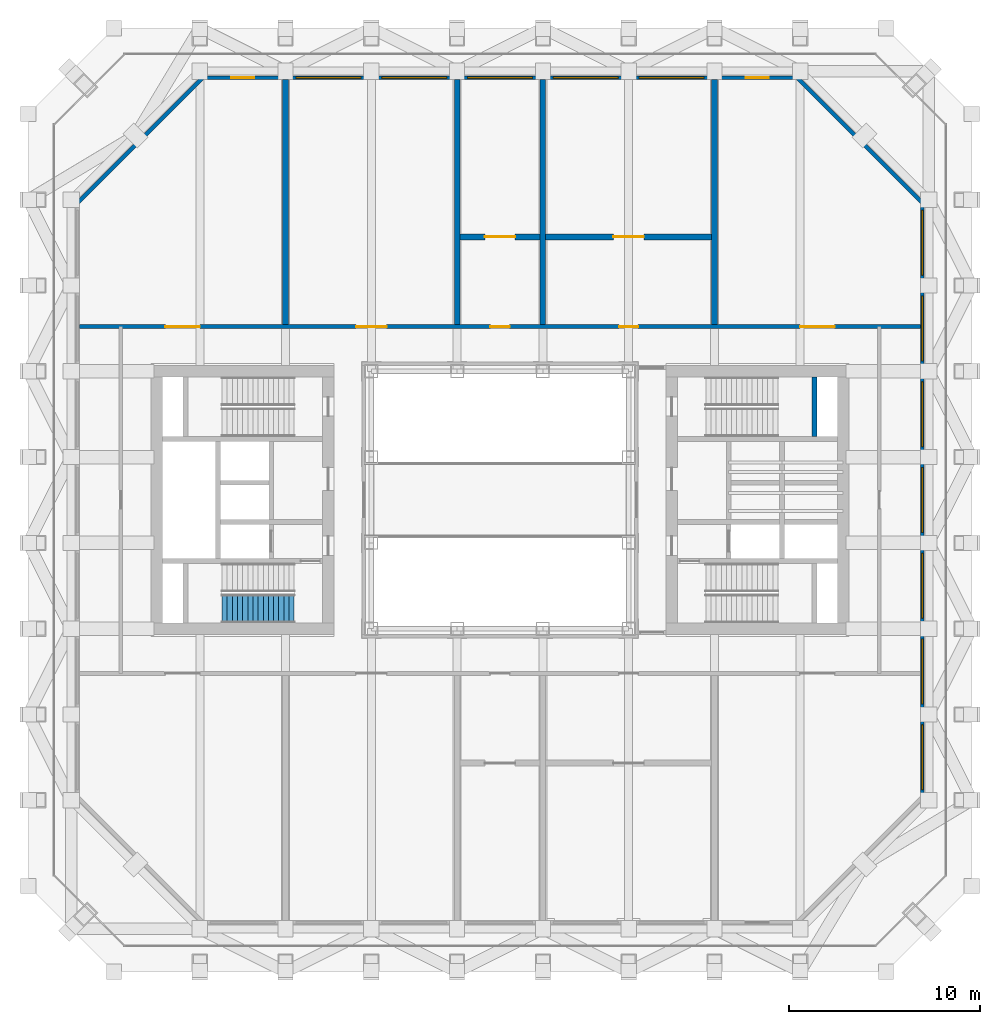
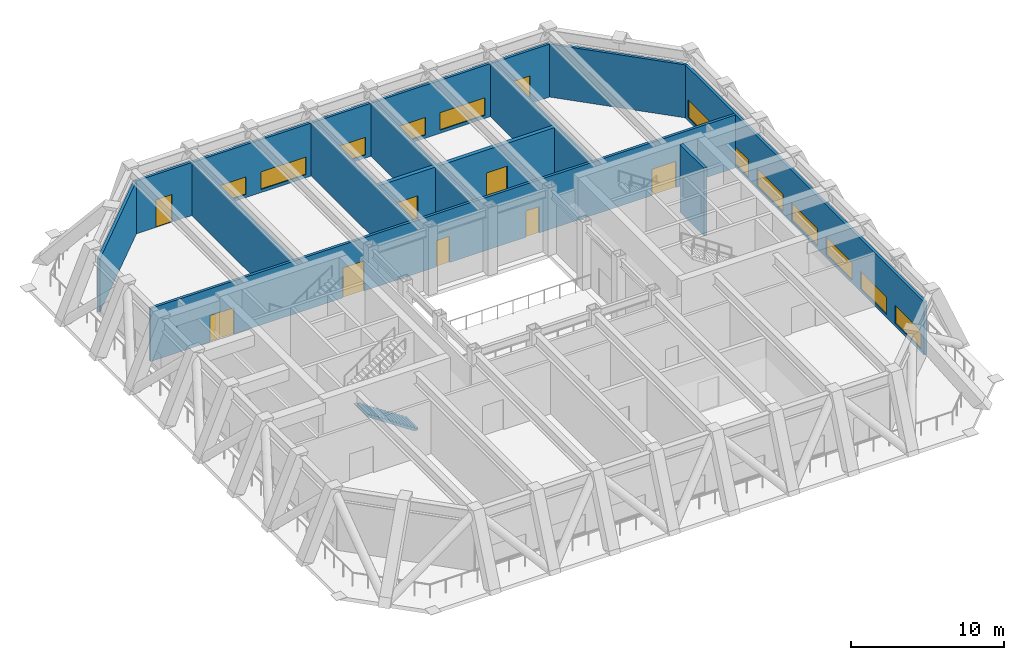
# One storey, part 5 of 9: 12 walls, 12 windows, 9 doors, 1 stair flight, 21 openings, 1 element without a shape of its own.
"""IFC4 building model written with IfcOpenShell, lengths in metres."""

from ifc_helpers import new_model, si_unit, direction, frame, frame_2d, origin, place, context, subcontext, project, spatial, polyline, rectangle, outline, extrude, material, layer, layer_set, type_object, element, fill, aggregate, save


model = new_model("IFC4")

# Units and contexts
model_context = context("Model", 3, precision=1e-05, world=origin(), true_north=direction((0.0, 1.0)))
body_context = subcontext(model_context, "Body", "Model", "MODEL_VIEW")
ifc_project = project(units=[si_unit("LENGTHUNIT", "METRE"), si_unit("AREAUNIT", "SQUARE_METRE"), si_unit("VOLUMEUNIT", "CUBIC_METRE"), si_unit("PLANEANGLEUNIT", "RADIAN"), si_unit("MASSUNIT", "GRAM", prefix="KILO")], contexts=[model_context])

# Site, building, storey
site_placement = place(None, origin())
site = spatial("IfcSite", under=ifc_project, at=site_placement, CompositionType="ELEMENT")
building_placement = place(site_placement, origin())
building = spatial("IfcBuilding", under=site, at=building_placement, Name="Msasa Ring Tower", CompositionType="ELEMENT")
storey_placement = place(building_placement, frame((0.0, 0.0, 107.0)))
storey = spatial("IfcBuildingStorey", under=building, at=storey_placement, Name="L28", CompositionType="ELEMENT", Elevation=107.0)

# Wall
ifc_material_1 = material(Name="Concrete C60/75", Category="concrete")
ifc_layer_1 = layer(ifc_material_1, 0.25)
ifc_layer_set_1 = layer_set([ifc_layer_1], Name="CW4 CORE INNER WALL 250")
wall_type_1 = type_object("IfcWallType", Name="CW4 CORE INNER WALL 250", PredefinedType="SHEAR", material=ifc_layer_set_1)
wall_1_placement = place(storey_placement, frame((16.5, 3.324951171875, 0.0), z_axis=(0.0, 0.0, 1.0), x_axis=(0.0, 1.0, 0.0)))
element("IfcWall", 1, at=wall_1_placement, inside=storey, type_object=wall_type_1, Name="E core wall RISERB L28", PredefinedType="SHEAR", context=body_context, shape_type="SweptSolid", body=[
    extrude(rectangle(XDim=3.125, YDim=0.25, at=frame_2d((1.5625, 0.0))), origin(), (0.0, 0.0, 1.0), 5.39990234375),
])

# Wall, openings, windows
ifc_material_2 = material(Name="Terracotta rainscreen on blockwork", Category="masonry")
ifc_layer_2 = layer(ifc_material_2, 0.199951171875)
ifc_layer_set_2 = layer_set([ifc_layer_2], Name="FW3 PLANT FLOOR WALL 200")
wall_type_2 = type_object("IfcWallType", Name="FW3 PLANT FLOOR WALL 200", PredefinedType="SOLIDWALL", material=ifc_layer_set_2)
wall_2_placement = place(storey_placement, frame((22.14990234375, -15.60498046875, 0.0), z_axis=(0.0, 0.0, 1.0), x_axis=(0.0, 1.0, 0.0)))
wall_2 = element("IfcWall", 2, at=wall_2_placement, inside=storey, type_object=wall_type_2, Name="Plant floor wall E L28", PredefinedType="SOLIDWALL", context=body_context, shape_type="SweptSolid", body=[
    extrude(rectangle(XDim=31.2099609375, YDim=0.199951171875, at=frame_2d((15.60498046875, 0.0))), origin(), (0.0, 0.0, 1.0), 4.223388671875),
])
opening_1_placement = place(wall_2_placement, frame((0.405029296875, 0.0, 0.25)))
opening_1 = element("IfcOpeningElement", 3, at=opening_1_placement, cuts=wall_2, Name="Opening LV1", PredefinedType="OPENING", context=body_context, shape_type="SweptSolid", body=[
    extrude(rectangle(XDim=3.39990234375, YDim=1.39990234375, at=frame_2d((1.699951171875, 0.699951171875))), frame((0.0, 0.10986328125, 0.0), z_axis=(0.0, -1.0, 0.0), x_axis=(1.0, 0.0, 0.0)), (0.0, 0.0, 1.0), 0.219970703125),
])
opening_2_placement = place(wall_2_placement, frame((4.905029296875, 0.0, 0.25)))
opening_2 = element("IfcOpeningElement", 4, at=opening_2_placement, cuts=wall_2, Name="Opening LV1", PredefinedType="OPENING", context=body_context, shape_type="SweptSolid", body=[
    extrude(rectangle(XDim=3.39990234375, YDim=1.39990234375, at=frame_2d((1.699951171875, 0.699951171875))), frame((0.0, 0.10986328125, 0.0), z_axis=(0.0, -1.0, 0.0), x_axis=(1.0, 0.0, 0.0)), (0.0, 0.0, 1.0), 0.219970703125),
])
opening_3_placement = place(wall_2_placement, frame((9.405029296875, 0.0, 0.25)))
opening_3 = element("IfcOpeningElement", 5, at=opening_3_placement, cuts=wall_2, Name="Opening LV1", PredefinedType="OPENING", context=body_context, shape_type="SweptSolid", body=[
    extrude(rectangle(XDim=3.39990234375, YDim=1.39990234375, at=frame_2d((1.699951171875, 0.699951171875))), frame((0.0, 0.10986328125, 0.0), z_axis=(0.0, -1.0, 0.0), x_axis=(1.0, 0.0, 0.0)), (0.0, 0.0, 1.0), 0.219970703125),
])
opening_4_placement = place(wall_2_placement, frame((13.905029296875, 0.0, 0.25)))
opening_4 = element("IfcOpeningElement", 6, at=opening_4_placement, cuts=wall_2, Name="Opening LV1", PredefinedType="OPENING", context=body_context, shape_type="SweptSolid", body=[
    extrude(rectangle(XDim=3.39990234375, YDim=1.39990234375, at=frame_2d((1.699951171875, 0.699951171875))), frame((0.0, 0.10986328125, 0.0), z_axis=(0.0, -1.0, 0.0), x_axis=(1.0, 0.0, 0.0)), (0.0, 0.0, 1.0), 0.219970703125),
])
opening_5_placement = place(wall_2_placement, frame((18.405029296875, 0.0, 0.25)))
opening_5 = element("IfcOpeningElement", 7, at=opening_5_placement, cuts=wall_2, Name="Opening LV1", PredefinedType="OPENING", context=body_context, shape_type="SweptSolid", body=[
    extrude(rectangle(XDim=3.39990234375, YDim=1.39990234375, at=frame_2d((1.699951171875, 0.699951171875))), frame((0.0, 0.10986328125, 0.0), z_axis=(0.0, -1.0, 0.0), x_axis=(1.0, 0.0, 0.0)), (0.0, 0.0, 1.0), 0.219970703125),
])
opening_6_placement = place(wall_2_placement, frame((22.905029296875, 0.0, 0.25)))
opening_6 = element("IfcOpeningElement", 8, at=opening_6_placement, cuts=wall_2, Name="Opening LV1", PredefinedType="OPENING", context=body_context, shape_type="SweptSolid", body=[
    extrude(rectangle(XDim=3.39990234375, YDim=1.39990234375, at=frame_2d((1.699951171875, 0.699951171875))), frame((0.0, 0.10986328125, 0.0), z_axis=(0.0, -1.0, 0.0), x_axis=(1.0, 0.0, 0.0)), (0.0, 0.0, 1.0), 0.219970703125),
])
opening_7_placement = place(wall_2_placement, frame((27.405029296875, 0.0, 0.25)))
opening_7 = element("IfcOpeningElement", 9, at=opening_7_placement, cuts=wall_2, Name="Opening LV1", PredefinedType="OPENING", context=body_context, shape_type="SweptSolid", body=[
    extrude(rectangle(XDim=3.39990234375, YDim=1.39990234375, at=frame_2d((1.699951171875, 0.699951171875))), frame((0.0, 0.10986328125, 0.0), z_axis=(0.0, -1.0, 0.0), x_axis=(1.0, 0.0, 0.0)), (0.0, 0.0, 1.0), 0.219970703125),
])
ifc_material_3 = material(Name="Aluminium weather louvre", Category="aluminium")
window_type = type_object("IfcWindowType", Name="LV1 PLANT LOUVRE 3400x1400", PartitioningType="SINGLE_PANEL", PredefinedType="USERDEFINED", material=ifc_material_3)
window_1_placement = place(opening_1_placement, origin())
window_1 = element("IfcWindow", 10, at=window_1_placement, inside=storey, type_object=window_type, Name="Plant louvre E L28 00", ObjectType="LOUVRE", OverallHeight=1.39990234375, OverallWidth=3.39990234375, PartitioningType="SINGLE_PANEL", PredefinedType="USERDEFINED", context=body_context, shape_type="SweptSolid", body=[
    extrude(rectangle(XDim=3.39990234375, YDim=1.39990234375, at=frame_2d((1.699951171875, 0.699951171875))), frame((0.0, 0.030029296875, 0.0), z_axis=(0.0, -1.0, 0.0), x_axis=(1.0, 0.0, 0.0)), (0.0, 0.0, 1.0), 0.06005859375),
])
fill(opening_1, window_1)
window_2_placement = place(opening_2_placement, origin())
window_2 = element("IfcWindow", 11, at=window_2_placement, inside=storey, type_object=window_type, Name="Plant louvre E L28 01", ObjectType="LOUVRE", OverallHeight=1.39990234375, OverallWidth=3.39990234375, PartitioningType="SINGLE_PANEL", PredefinedType="USERDEFINED", context=body_context, shape_type="SweptSolid", body=[
    extrude(rectangle(XDim=3.39990234375, YDim=1.39990234375, at=frame_2d((1.699951171875, 0.699951171875))), frame((0.0, 0.030029296875, 0.0), z_axis=(0.0, -1.0, 0.0), x_axis=(1.0, 0.0, 0.0)), (0.0, 0.0, 1.0), 0.06005859375),
])
fill(opening_2, window_2)
window_3_placement = place(opening_3_placement, origin())
window_3 = element("IfcWindow", 12, at=window_3_placement, inside=storey, type_object=window_type, Name="Plant louvre E L28 02", ObjectType="LOUVRE", OverallHeight=1.39990234375, OverallWidth=3.39990234375, PartitioningType="SINGLE_PANEL", PredefinedType="USERDEFINED", context=body_context, shape_type="SweptSolid", body=[
    extrude(rectangle(XDim=3.39990234375, YDim=1.39990234375, at=frame_2d((1.699951171875, 0.699951171875))), frame((0.0, 0.030029296875, 0.0), z_axis=(0.0, -1.0, 0.0), x_axis=(1.0, 0.0, 0.0)), (0.0, 0.0, 1.0), 0.06005859375),
])
fill(opening_3, window_3)
window_4_placement = place(opening_4_placement, origin())
window_4 = element("IfcWindow", 13, at=window_4_placement, inside=storey, type_object=window_type, Name="Plant louvre E L28 03", ObjectType="LOUVRE", OverallHeight=1.39990234375, OverallWidth=3.39990234375, PartitioningType="SINGLE_PANEL", PredefinedType="USERDEFINED", context=body_context, shape_type="SweptSolid", body=[
    extrude(rectangle(XDim=3.39990234375, YDim=1.39990234375, at=frame_2d((1.699951171875, 0.699951171875))), frame((0.0, 0.030029296875, 0.0), z_axis=(0.0, -1.0, 0.0), x_axis=(1.0, 0.0, 0.0)), (0.0, 0.0, 1.0), 0.06005859375),
])
fill(opening_4, window_4)
window_5_placement = place(opening_5_placement, origin())
window_5 = element("IfcWindow", 14, at=window_5_placement, inside=storey, type_object=window_type, Name="Plant louvre E L28 04", ObjectType="LOUVRE", OverallHeight=1.39990234375, OverallWidth=3.39990234375, PartitioningType="SINGLE_PANEL", PredefinedType="USERDEFINED", context=body_context, shape_type="SweptSolid", body=[
    extrude(rectangle(XDim=3.39990234375, YDim=1.39990234375, at=frame_2d((1.699951171875, 0.699951171875))), frame((0.0, 0.030029296875, 0.0), z_axis=(0.0, -1.0, 0.0), x_axis=(1.0, 0.0, 0.0)), (0.0, 0.0, 1.0), 0.06005859375),
])
fill(opening_5, window_5)
window_6_placement = place(opening_6_placement, origin())
window_6 = element("IfcWindow", 15, at=window_6_placement, inside=storey, type_object=window_type, Name="Plant louvre E L28 05", ObjectType="LOUVRE", OverallHeight=1.39990234375, OverallWidth=3.39990234375, PartitioningType="SINGLE_PANEL", PredefinedType="USERDEFINED", context=body_context, shape_type="SweptSolid", body=[
    extrude(rectangle(XDim=3.39990234375, YDim=1.39990234375, at=frame_2d((1.699951171875, 0.699951171875))), frame((0.0, 0.030029296875, 0.0), z_axis=(0.0, -1.0, 0.0), x_axis=(1.0, 0.0, 0.0)), (0.0, 0.0, 1.0), 0.06005859375),
])
fill(opening_6, window_6)
window_7_placement = place(opening_7_placement, origin())
window_7 = element("IfcWindow", 16, at=window_7_placement, inside=storey, type_object=window_type, Name="Plant louvre E L28 06", ObjectType="LOUVRE", OverallHeight=1.39990234375, OverallWidth=3.39990234375, PartitioningType="SINGLE_PANEL", PredefinedType="USERDEFINED", context=body_context, shape_type="SweptSolid", body=[
    extrude(rectangle(XDim=3.39990234375, YDim=1.39990234375, at=frame_2d((1.699951171875, 0.699951171875))), frame((0.0, 0.030029296875, 0.0), z_axis=(0.0, -1.0, 0.0), x_axis=(1.0, 0.0, 0.0)), (0.0, 0.0, 1.0), 0.06005859375),
])
fill(opening_7, window_7)

# Wall
wall_3_placement = place(storey_placement, frame((15.60498046875, 22.14990234375, 0.0), z_axis=(0.0, 0.0, 1.0), x_axis=(0.707106781187, -0.707106781187, 0.0)))
element("IfcWall", 17, at=wall_3_placement, inside=storey, type_object=wall_type_2, Name="Plant floor wall NE L28", PredefinedType="SOLIDWALL", context=body_context, shape_type="SweptSolid", body=[
    extrude(rectangle(XDim=9.255859375, YDim=0.199951171875, at=frame_2d((4.6279296875, 0.0))), origin(), (0.0, 0.0, 1.0), 4.223388671875),
])

# Wall, openings, doors, windows
wall_4_placement = place(storey_placement, frame((-15.60498046875, 22.14990234375, 0.0), z_axis=(0.0, 0.0, 1.0), x_axis=(1.0, 0.0, 0.0)))
wall_4 = element("IfcWall", 18, at=wall_4_placement, inside=storey, type_object=wall_type_2, Name="Plant floor wall N L28", PredefinedType="SOLIDWALL", context=body_context, shape_type="SweptSolid", body=[
    extrude(rectangle(XDim=31.2099609375, YDim=0.199951171875, at=frame_2d((15.60498046875, 0.0))), origin(), (0.0, 0.0, 1.0), 4.223388671875),
])
opening_8_placement = place(wall_4_placement, frame((1.5048828125, 0.0, 0.0)))
opening_8 = element("IfcOpeningElement", 19, at=opening_8_placement, cuts=wall_4, Name="Opening L28-001", PredefinedType="OPENING", context=body_context, shape_type="SweptSolid", body=[
    extrude(rectangle(XDim=1.199951171875, YDim=2.199951171875, at=frame_2d((0.60009765625, 1.10009765625))), frame((0.0, 0.10986328125, 0.0), z_axis=(0.0, -1.0, 0.0), x_axis=(1.0, 0.0, 0.0)), (0.0, 0.0, 1.0), 0.219970703125),
])
opening_9_placement = place(wall_4_placement, frame((4.905029296875, 0.0, 0.25)))
opening_9 = element("IfcOpeningElement", 20, at=opening_9_placement, cuts=wall_4, Name="Opening LV1", PredefinedType="OPENING", context=body_context, shape_type="SweptSolid", body=[
    extrude(rectangle(XDim=3.39990234375, YDim=1.39990234375, at=frame_2d((1.699951171875, 0.699951171875))), frame((0.0, 0.10986328125, 0.0), z_axis=(0.0, -1.0, 0.0), x_axis=(1.0, 0.0, 0.0)), (0.0, 0.0, 1.0), 0.219970703125),
])
opening_10_placement = place(wall_4_placement, frame((9.405029296875, 0.0, 0.25)))
opening_10 = element("IfcOpeningElement", 21, at=opening_10_placement, cuts=wall_4, Name="Opening LV1", PredefinedType="OPENING", context=body_context, shape_type="SweptSolid", body=[
    extrude(rectangle(XDim=3.39990234375, YDim=1.39990234375, at=frame_2d((1.699951171875, 0.699951171875))), frame((0.0, 0.10986328125, 0.0), z_axis=(0.0, -1.0, 0.0), x_axis=(1.0, 0.0, 0.0)), (0.0, 0.0, 1.0), 0.219970703125),
])
opening_11_placement = place(wall_4_placement, frame((13.905029296875, 0.0, 0.25)))
opening_11 = element("IfcOpeningElement", 22, at=opening_11_placement, cuts=wall_4, Name="Opening LV1", PredefinedType="OPENING", context=body_context, shape_type="SweptSolid", body=[
    extrude(rectangle(XDim=3.39990234375, YDim=1.39990234375, at=frame_2d((1.699951171875, 0.699951171875))), frame((0.0, 0.10986328125, 0.0), z_axis=(0.0, -1.0, 0.0), x_axis=(1.0, 0.0, 0.0)), (0.0, 0.0, 1.0), 0.219970703125),
])
opening_12_placement = place(wall_4_placement, frame((18.405029296875, 0.0, 0.25)))
opening_12 = element("IfcOpeningElement", 23, at=opening_12_placement, cuts=wall_4, Name="Opening LV1", PredefinedType="OPENING", context=body_context, shape_type="SweptSolid", body=[
    extrude(rectangle(XDim=3.39990234375, YDim=1.39990234375, at=frame_2d((1.699951171875, 0.699951171875))), frame((0.0, 0.10986328125, 0.0), z_axis=(0.0, -1.0, 0.0), x_axis=(1.0, 0.0, 0.0)), (0.0, 0.0, 1.0), 0.219970703125),
])
opening_13_placement = place(wall_4_placement, frame((22.905029296875, 0.0, 0.25)))
opening_13 = element("IfcOpeningElement", 24, at=opening_13_placement, cuts=wall_4, Name="Opening LV1", PredefinedType="OPENING", context=body_context, shape_type="SweptSolid", body=[
    extrude(rectangle(XDim=3.39990234375, YDim=1.39990234375, at=frame_2d((1.699951171875, 0.699951171875))), frame((0.0, 0.10986328125, 0.0), z_axis=(0.0, -1.0, 0.0), x_axis=(1.0, 0.0, 0.0)), (0.0, 0.0, 1.0), 0.219970703125),
])
opening_14_placement = place(wall_4_placement, frame((28.5048828125, 0.0, 0.0)))
opening_14 = element("IfcOpeningElement", 25, at=opening_14_placement, cuts=wall_4, Name="Opening L28-002", PredefinedType="OPENING", context=body_context, shape_type="SweptSolid", body=[
    extrude(rectangle(XDim=1.199951171875, YDim=2.199951171875, at=frame_2d((0.60009765625, 1.10009765625))), frame((0.0, 0.10986328125, 0.0), z_axis=(0.0, -1.0, 0.0), x_axis=(1.0, 0.0, 0.0)), (0.0, 0.0, 1.0), 0.219970703125),
])
ifc_material_4 = material(Name="Aluminium frame with clear glass", Category="aluminium")
door_type_1 = type_object("IfcDoorType", Name="ED2 REFUGE DOOR 1200x2200", OperationType="SINGLE_SWING_LEFT", PredefinedType="DOOR", material=ifc_material_4)
door_1_placement = place(opening_8_placement, origin())
door_1 = element("IfcDoor", 26, at=door_1_placement, inside=storey, type_object=door_type_1, Name="Refuge terrace door N L28", OperationType="SINGLE_SWING_LEFT", OverallHeight=2.199951171875, OverallWidth=1.199951171875, PredefinedType="DOOR", context=body_context, shape_type="SweptSolid", body=[
    extrude(rectangle(XDim=1.199951171875, YDim=2.199951171875, at=frame_2d((0.60009765625, 1.10009765625))), frame((0.0, 0.02490234375, 0.0), z_axis=(0.0, -1.0, 0.0), x_axis=(1.0, 0.0, 0.0)), (0.0, 0.0, 1.0), 0.050048828125),
])
fill(opening_8, door_1)
door_2_placement = place(opening_14_placement, origin())
door_2 = element("IfcDoor", 27, at=door_2_placement, inside=storey, type_object=door_type_1, Name="Refuge terrace door N L28", OperationType="SINGLE_SWING_RIGHT", OverallHeight=2.199951171875, OverallWidth=1.199951171875, PredefinedType="DOOR", context=body_context, shape_type="SweptSolid", body=[
    extrude(rectangle(XDim=1.199951171875, YDim=2.199951171875, at=frame_2d((0.60009765625, 1.10009765625))), frame((0.0, 0.02490234375, 0.0), z_axis=(0.0, -1.0, 0.0), x_axis=(1.0, 0.0, 0.0)), (0.0, 0.0, 1.0), 0.050048828125),
])
fill(opening_14, door_2)
window_8_placement = place(opening_9_placement, origin())
window_8 = element("IfcWindow", 28, at=window_8_placement, inside=storey, type_object=window_type, Name="Plant louvre N L28 01", ObjectType="LOUVRE", OverallHeight=1.39990234375, OverallWidth=3.39990234375, PartitioningType="SINGLE_PANEL", PredefinedType="USERDEFINED", context=body_context, shape_type="SweptSolid", body=[
    extrude(rectangle(XDim=3.39990234375, YDim=1.39990234375, at=frame_2d((1.699951171875, 0.699951171875))), frame((0.0, 0.030029296875, 0.0), z_axis=(0.0, -1.0, 0.0), x_axis=(1.0, 0.0, 0.0)), (0.0, 0.0, 1.0), 0.06005859375),
])
fill(opening_9, window_8)
window_9_placement = place(opening_10_placement, origin())
window_9 = element("IfcWindow", 29, at=window_9_placement, inside=storey, type_object=window_type, Name="Plant louvre N L28 02", ObjectType="LOUVRE", OverallHeight=1.39990234375, OverallWidth=3.39990234375, PartitioningType="SINGLE_PANEL", PredefinedType="USERDEFINED", context=body_context, shape_type="SweptSolid", body=[
    extrude(rectangle(XDim=3.39990234375, YDim=1.39990234375, at=frame_2d((1.699951171875, 0.699951171875))), frame((0.0, 0.030029296875, 0.0), z_axis=(0.0, -1.0, 0.0), x_axis=(1.0, 0.0, 0.0)), (0.0, 0.0, 1.0), 0.06005859375),
])
fill(opening_10, window_9)
window_10_placement = place(opening_11_placement, origin())
window_10 = element("IfcWindow", 30, at=window_10_placement, inside=storey, type_object=window_type, Name="Plant louvre N L28 03", ObjectType="LOUVRE", OverallHeight=1.39990234375, OverallWidth=3.39990234375, PartitioningType="SINGLE_PANEL", PredefinedType="USERDEFINED", context=body_context, shape_type="SweptSolid", body=[
    extrude(rectangle(XDim=3.39990234375, YDim=1.39990234375, at=frame_2d((1.699951171875, 0.699951171875))), frame((0.0, 0.030029296875, 0.0), z_axis=(0.0, -1.0, 0.0), x_axis=(1.0, 0.0, 0.0)), (0.0, 0.0, 1.0), 0.06005859375),
])
fill(opening_11, window_10)
window_11_placement = place(opening_12_placement, origin())
window_11 = element("IfcWindow", 31, at=window_11_placement, inside=storey, type_object=window_type, Name="Plant louvre N L28 04", ObjectType="LOUVRE", OverallHeight=1.39990234375, OverallWidth=3.39990234375, PartitioningType="SINGLE_PANEL", PredefinedType="USERDEFINED", context=body_context, shape_type="SweptSolid", body=[
    extrude(rectangle(XDim=3.39990234375, YDim=1.39990234375, at=frame_2d((1.699951171875, 0.699951171875))), frame((0.0, 0.030029296875, 0.0), z_axis=(0.0, -1.0, 0.0), x_axis=(1.0, 0.0, 0.0)), (0.0, 0.0, 1.0), 0.06005859375),
])
fill(opening_12, window_11)
window_12_placement = place(opening_13_placement, origin())
window_12 = element("IfcWindow", 32, at=window_12_placement, inside=storey, type_object=window_type, Name="Plant louvre N L28 05", ObjectType="LOUVRE", OverallHeight=1.39990234375, OverallWidth=3.39990234375, PartitioningType="SINGLE_PANEL", PredefinedType="USERDEFINED", context=body_context, shape_type="SweptSolid", body=[
    extrude(rectangle(XDim=3.39990234375, YDim=1.39990234375, at=frame_2d((1.699951171875, 0.699951171875))), frame((0.0, 0.030029296875, 0.0), z_axis=(0.0, -1.0, 0.0), x_axis=(1.0, 0.0, 0.0)), (0.0, 0.0, 1.0), 0.06005859375),
])
fill(opening_13, window_12)

# Wall
wall_5_placement = place(storey_placement, frame((-22.14990234375, 15.60498046875, 0.0), z_axis=(0.0, 0.0, 1.0), x_axis=(0.707106781187, 0.707106781187, 0.0)))
element("IfcWall", 33, at=wall_5_placement, inside=storey, type_object=wall_type_2, Name="Plant floor wall NW L28", PredefinedType="SOLIDWALL", context=body_context, shape_type="SweptSolid", body=[
    extrude(rectangle(XDim=9.255859375, YDim=0.199951171875, at=frame_2d((4.6279296875, 0.0))), origin(), (0.0, 0.0, 1.0), 4.223388671875),
])

# Wall, openings, doors
ifc_material_5 = material(Name="Concrete blockwork", Category="masonry")
ifc_layer_3 = layer(ifc_material_5, 0.199951171875)
ifc_layer_set_3 = layer_set([ifc_layer_3], Name="PT1 CORRIDOR WALL 200")
wall_type_3 = type_object("IfcWallType", Name="PT1 CORRIDOR WALL 200", PredefinedType="PARTITIONING", material=ifc_layer_set_3)
wall_6_placement = place(storey_placement, frame((-22.050048828125, 9.10009765625, 0.0), z_axis=(0.0, 0.0, 1.0), x_axis=(1.0, 0.0, 0.0)))
wall_6 = element("IfcWall", 34, at=wall_6_placement, inside=storey, type_object=wall_type_3, Name="Corridor wall L28-CORRN0", PredefinedType="PARTITIONING", context=body_context, shape_type="SweptSolid", body=[
    extrude(rectangle(XDim=44.10009765625, YDim=0.199951171875, at=frame_2d((22.050048828125, 0.0))), origin(), (0.0, 0.0, 1.0), 4.22900390625),
])
opening_15_placement = place(wall_6_placement, frame((4.5, 0.0, 0.0)))
opening_15 = element("IfcOpeningElement", 35, at=opening_15_placement, cuts=wall_6, Name="Opening L28-005", PredefinedType="OPENING", context=body_context, shape_type="SweptSolid", body=[
    extrude(rectangle(XDim=1.800048828125, YDim=2.10009765625, at=frame_2d((0.89990234375, 1.050048828125))), frame((0.0, 0.10986328125, 0.0), z_axis=(0.0, -1.0, 0.0), x_axis=(1.0, 0.0, 0.0)), (0.0, 0.0, 1.0), 0.219970703125),
])
opening_16_placement = place(wall_6_placement, frame((14.5, 0.0, 0.0)))
opening_16 = element("IfcOpeningElement", 36, at=opening_16_placement, cuts=wall_6, Name="Opening L28-006", PredefinedType="OPENING", context=body_context, shape_type="SweptSolid", body=[
    extrude(rectangle(XDim=1.60009765625, YDim=2.39990234375, at=frame_2d((0.800048828125, 1.199951171875))), frame((0.0, 0.10986328125, 0.0), z_axis=(0.0, -1.0, 0.0), x_axis=(1.0, 0.0, 0.0)), (0.0, 0.0, 1.0), 0.219970703125),
])
opening_17_placement = place(wall_6_placement, frame((21.550048828125, 0.0, 0.0)))
opening_17 = element("IfcOpeningElement", 37, at=opening_17_placement, cuts=wall_6, Name="Opening L28-007", PredefinedType="OPENING", context=body_context, shape_type="SweptSolid", body=[
    extrude(rectangle(XDim=1.0, YDim=2.10009765625, at=frame_2d((0.5, 1.050048828125))), frame((0.0, 0.10986328125, 0.0), z_axis=(0.0, -1.0, 0.0), x_axis=(1.0, 0.0, 0.0)), (0.0, 0.0, 1.0), 0.219970703125),
])
opening_18_placement = place(wall_6_placement, frame((28.300048828125, 0.0, 0.0)))
opening_18 = element("IfcOpeningElement", 38, at=opening_18_placement, cuts=wall_6, Name="Opening L28-008", PredefinedType="OPENING", context=body_context, shape_type="SweptSolid", body=[
    extrude(rectangle(XDim=1.0, YDim=2.10009765625, at=frame_2d((0.5, 1.050048828125))), frame((0.0, 0.10986328125, 0.0), z_axis=(0.0, -1.0, 0.0), x_axis=(1.0, 0.0, 0.0)), (0.0, 0.0, 1.0), 0.219970703125),
])
opening_19_placement = place(wall_6_placement, frame((37.800048828125, 0.0, 0.0)))
opening_19 = element("IfcOpeningElement", 39, at=opening_19_placement, cuts=wall_6, Name="Opening L28-009", PredefinedType="OPENING", context=body_context, shape_type="SweptSolid", body=[
    extrude(rectangle(XDim=1.800048828125, YDim=2.10009765625, at=frame_2d((0.89990234375, 1.050048828125))), frame((0.0, 0.10986328125, 0.0), z_axis=(0.0, -1.0, 0.0), x_axis=(1.0, 0.0, 0.0)), (0.0, 0.0, 1.0), 0.219970703125),
])
ifc_material_6 = material(Name="Timber door leaf in a steel frame", Category="steel")
door_type_2 = type_object("IfcDoorType", Name="D13 PLANT ROOM DOOR 1000x2100", OperationType="SINGLE_SWING_LEFT", PredefinedType="DOOR", material=ifc_material_6)
door_3_placement = place(opening_17_placement, origin())
door_3 = element("IfcDoor", 40, at=door_3_placement, inside=storey, type_object=door_type_2, Name="Door L28-PLN2A", OperationType="SINGLE_SWING_LEFT", OverallHeight=2.10009765625, OverallWidth=1.0, PredefinedType="DOOR", context=body_context, shape_type="SweptSolid", body=[
    extrude(rectangle(XDim=1.0, YDim=2.10009765625, at=frame_2d((0.5, 1.050048828125))), frame((0.0, 0.02490234375, 0.0), z_axis=(0.0, -1.0, 0.0), x_axis=(1.0, 0.0, 0.0)), (0.0, 0.0, 1.0), 0.050048828125),
])
fill(opening_17, door_3)
door_4_placement = place(opening_18_placement, origin())
door_4 = element("IfcDoor", 41, at=door_4_placement, inside=storey, type_object=door_type_2, Name="Door L28-PLN3A", OperationType="SINGLE_SWING_RIGHT", OverallHeight=2.10009765625, OverallWidth=1.0, PredefinedType="DOOR", context=body_context, shape_type="SweptSolid", body=[
    extrude(rectangle(XDim=1.0, YDim=2.10009765625, at=frame_2d((0.5, 1.050048828125))), frame((0.0, 0.02490234375, 0.0), z_axis=(0.0, -1.0, 0.0), x_axis=(1.0, 0.0, 0.0)), (0.0, 0.0, 1.0), 0.050048828125),
])
fill(opening_18, door_4)
ifc_material_7 = material(Name="Timber door leaf in a steel frame", Category="steel")
door_type_3 = type_object("IfcDoorType", Name="D20 PLANT ROOM PAIR OF DOORS 1600x2400", OperationType="SINGLE_SWING_LEFT", PredefinedType="DOOR", material=ifc_material_7)
door_5_placement = place(opening_16_placement, origin())
door_5 = element("IfcDoor", 42, at=door_5_placement, inside=storey, type_object=door_type_3, Name="Door L28-PLN1", OperationType="SINGLE_SWING_LEFT", OverallHeight=2.39990234375, OverallWidth=1.60009765625, PredefinedType="DOOR", context=body_context, shape_type="SweptSolid", body=[
    extrude(rectangle(XDim=1.60009765625, YDim=2.39990234375, at=frame_2d((0.800048828125, 1.199951171875))), frame((0.0, 0.02490234375, 0.0), z_axis=(0.0, -1.0, 0.0), x_axis=(1.0, 0.0, 0.0)), (0.0, 0.0, 1.0), 0.050048828125),
])
fill(opening_16, door_5)
ifc_material_8 = material(Name="Timber door leaf in a steel frame", Category="steel")
door_type_4 = type_object("IfcDoorType", Name="D51 REFUGE AREA PAIR OF DOORS 1800x2100", OperationType="SINGLE_SWING_LEFT", PredefinedType="DOOR", material=ifc_material_8)
door_6_placement = place(opening_15_placement, origin())
door_6 = element("IfcDoor", 43, at=door_6_placement, inside=storey, type_object=door_type_4, Name="Door L28-PLN0", OperationType="SINGLE_SWING_LEFT", OverallHeight=2.10009765625, OverallWidth=1.800048828125, PredefinedType="DOOR", context=body_context, shape_type="SweptSolid", body=[
    extrude(rectangle(XDim=1.800048828125, YDim=2.10009765625, at=frame_2d((0.89990234375, 1.050048828125))), frame((0.0, 0.02490234375, 0.0), z_axis=(0.0, -1.0, 0.0), x_axis=(1.0, 0.0, 0.0)), (0.0, 0.0, 1.0), 0.050048828125),
])
fill(opening_15, door_6)
door_7_placement = place(opening_19_placement, origin())
door_7 = element("IfcDoor", 44, at=door_7_placement, inside=storey, type_object=door_type_4, Name="Door L28-PLN4", OperationType="SINGLE_SWING_RIGHT", OverallHeight=2.10009765625, OverallWidth=1.800048828125, PredefinedType="DOOR", context=body_context, shape_type="SweptSolid", body=[
    extrude(rectangle(XDim=1.800048828125, YDim=2.10009765625, at=frame_2d((0.89990234375, 1.050048828125))), frame((0.0, 0.02490234375, 0.0), z_axis=(0.0, -1.0, 0.0), x_axis=(1.0, 0.0, 0.0)), (0.0, 0.0, 1.0), 0.050048828125),
])
fill(opening_19, door_7)

# Walls
ifc_material_9 = material(Name="Dense concrete blockwork, fair faced", Category="masonry")
ifc_layer_4 = layer(ifc_material_9, 0.300048828125)
ifc_layer_set_4 = layer_set([ifc_layer_4], Name="PT7 PLANT ROOM WALL 300")
wall_type_4 = type_object("IfcWallType", Name="PT7 PLANT ROOM WALL 300", PredefinedType="PARTITIONING", material=ifc_layer_set_4)
for number, where, z_axis, x_axis, name in (
    (45, (-11.25, 9.199951171875, 0.0), (0.0, 0.0, 1.0), (0.0, 1.0, 0.0), "Partition L28-PLNW1"),
    (46, (-2.25, 9.199951171875, 0.0), (0.0, 0.0, 1.0), (0.0, 1.0, 0.0), "Partition L28-PLNW2"),
):
    element("IfcWall", number, at=place(storey_placement, frame(where, z_axis=z_axis, x_axis=x_axis)), inside=storey, type_object=wall_type_4, Name=name, PredefinedType="PARTITIONING", context=body_context, shape_type="SweptSolid", body=[
        extrude(rectangle(XDim=12.85009765625, YDim=0.300048828125, at=frame_2d((6.425048828125, 0.0))), origin(), (0.0, 0.0, 1.0), 4.22900390625),
    ])

# Wall, opening, door
wall_7_placement = place(storey_placement, frame((-2.10009765625, 13.800048828125, 0.0), z_axis=(0.0, 0.0, 1.0), x_axis=(1.0, 0.0, 0.0)))
wall_7 = element("IfcWall", 47, at=wall_7_placement, inside=storey, type_object=wall_type_4, Name="Partition L28-PLNS2", PredefinedType="PARTITIONING", context=body_context, shape_type="SweptSolid", body=[
    extrude(rectangle(XDim=4.2001953125, YDim=0.300048828125, at=frame_2d((2.10009765625, 0.0))), origin(), (0.0, 0.0, 1.0), 4.22900390625),
])
opening_20_placement = place(wall_7_placement, frame((1.300048828125, 0.0, 0.0)))
opening_20 = element("IfcOpeningElement", 48, at=opening_20_placement, cuts=wall_7, Name="Opening L28-003", PredefinedType="OPENING", context=body_context, shape_type="SweptSolid", body=[
    extrude(rectangle(XDim=1.60009765625, YDim=2.39990234375, at=frame_2d((0.800048828125, 1.199951171875))), frame((0.0, 0.159912109375, 0.0), z_axis=(0.0, -1.0, 0.0), x_axis=(1.0, 0.0, 0.0)), (0.0, 0.0, 1.0), 0.320068359375),
])
door_8_placement = place(opening_20_placement, origin())
door_8 = element("IfcDoor", 49, at=door_8_placement, inside=storey, type_object=door_type_3, Name="Door L28-PLN2B", OperationType="SINGLE_SWING_LEFT", OverallHeight=2.39990234375, OverallWidth=1.60009765625, PredefinedType="DOOR", context=body_context, shape_type="SweptSolid", body=[
    extrude(rectangle(XDim=1.60009765625, YDim=2.39990234375, at=frame_2d((0.800048828125, 1.199951171875))), frame((0.0, 0.02490234375, 0.0), z_axis=(0.0, -1.0, 0.0), x_axis=(1.0, 0.0, 0.0)), (0.0, 0.0, 1.0), 0.050048828125),
])
fill(opening_20, door_8)

# Wall
wall_8_placement = place(storey_placement, frame((2.25, 9.199951171875, 0.0), z_axis=(0.0, 0.0, 1.0), x_axis=(0.0, 1.0, 0.0)))
element("IfcWall", 50, at=wall_8_placement, inside=storey, type_object=wall_type_4, Name="Partition L28-PLNW3", PredefinedType="PARTITIONING", context=body_context, shape_type="SweptSolid", body=[
    extrude(rectangle(XDim=12.85009765625, YDim=0.300048828125, at=frame_2d((6.425048828125, 0.0))), origin(), (0.0, 0.0, 1.0), 4.22900390625),
])

# Wall, opening, door
wall_9_placement = place(storey_placement, frame((2.39990234375, 13.800048828125, 0.0), z_axis=(0.0, 0.0, 1.0), x_axis=(1.0, 0.0, 0.0)))
wall_9 = element("IfcWall", 51, at=wall_9_placement, inside=storey, type_object=wall_type_4, Name="Partition L28-PLNS3", PredefinedType="PARTITIONING", context=body_context, shape_type="SweptSolid", body=[
    extrude(rectangle(XDim=8.7001953125, YDim=0.300048828125, at=frame_2d((4.35009765625, 0.0))), origin(), (0.0, 0.0, 1.0), 4.22900390625),
])
opening_21_placement = place(wall_9_placement, frame((3.550048828125, 0.0, 0.0)))
opening_21 = element("IfcOpeningElement", 52, at=opening_21_placement, cuts=wall_9, Name="Opening L28-004", PredefinedType="OPENING", context=body_context, shape_type="SweptSolid", body=[
    extrude(rectangle(XDim=1.60009765625, YDim=2.39990234375, at=frame_2d((0.800048828125, 1.199951171875))), frame((0.0, 0.159912109375, 0.0), z_axis=(0.0, -1.0, 0.0), x_axis=(1.0, 0.0, 0.0)), (0.0, 0.0, 1.0), 0.320068359375),
])
door_9_placement = place(opening_21_placement, origin())
door_9 = element("IfcDoor", 53, at=door_9_placement, inside=storey, type_object=door_type_3, Name="Door L28-PLN3B", OperationType="SINGLE_SWING_LEFT", OverallHeight=2.39990234375, OverallWidth=1.60009765625, PredefinedType="DOOR", context=body_context, shape_type="SweptSolid", body=[
    extrude(rectangle(XDim=1.60009765625, YDim=2.39990234375, at=frame_2d((0.800048828125, 1.199951171875))), frame((0.0, 0.02490234375, 0.0), z_axis=(0.0, -1.0, 0.0), x_axis=(1.0, 0.0, 0.0)), (0.0, 0.0, 1.0), 0.050048828125),
])
fill(opening_21, door_9)

# Wall
wall_10_placement = place(storey_placement, frame((11.25, 9.199951171875, 0.0), z_axis=(0.0, 0.0, 1.0), x_axis=(0.0, 1.0, 0.0)))
element("IfcWall", 54, at=wall_10_placement, inside=storey, type_object=wall_type_4, Name="Partition L28-PLNW4", PredefinedType="PARTITIONING", context=body_context, shape_type="SweptSolid", body=[
    extrude(rectangle(XDim=12.85009765625, YDim=0.300048828125, at=frame_2d((6.425048828125, 0.0))), origin(), (0.0, 0.0, 1.0), 4.22900390625),
])

# Stair, stair flight
ifc_material_10 = material(Name="Concrete C40/50", Category="concrete")
stair_type = type_object("IfcStairType", Name="STC CORE STAIR 30 RISERS 180", PredefinedType="HALF_TURN_STAIR", material=ifc_material_10)
stair_placement = place(storey_placement, origin())
stair = element("IfcStair", 55, at=stair_placement, inside=storey, type_object=stair_type, Name="Core stair SWA L28", PredefinedType="HALF_TURN_STAIR")
ifc_material_11 = material(Name="Concrete C40/50", Category="concrete")
stair_flight_type = type_object("IfcStairFlightType", Name="ST15 CORE STAIR FLIGHT 1500 15 RISERS 180", PredefinedType="STRAIGHT", material=ifc_material_11)
stair_flight_placement = place(storey_placement, frame((-10.800048828125, -5.699951171875, 0.0), z_axis=(0.0, 0.0, 1.0), x_axis=(-1.0, 0.0, 0.0)))
stair_flight = element("IfcStairFlight", 56, at=stair_flight_placement, type_object=stair_flight_type, Name="SWA flight 1", NumberOfRisers=15, NumberOfTreads=14, PredefinedType="STRAIGHT", RiserHeight=0.18, TreadLength=0.27, context=body_context, shape_type="SweptSolid", body=[
    extrude(outline(polyline([(0.0, 0.0), (0.0, 0.179931640625), (0.27001953125, 0.179931640625), (0.27001953125, 0.360107421875), (0.5400390625, 0.360107421875), (0.5400390625, 0.5400390625), (0.81005859375, 0.5400390625), (0.81005859375, 0.719970703125), (1.080078125, 0.719970703125), (1.080078125, 0.89990234375), (1.35009765625, 0.89990234375), (1.35009765625, 1.080078125), (1.6201171875, 1.080078125), (1.6201171875, 1.260009765625), (1.889892578125, 1.260009765625), (1.889892578125, 1.43994140625), (2.159912109375, 1.43994140625), (2.159912109375, 1.6201171875), (2.429931640625, 1.6201171875), (2.429931640625, 1.800048828125), (2.699951171875, 1.800048828125), (2.699951171875, 1.97998046875), (2.969970703125, 1.97998046875), (2.969970703125, 2.159912109375), (3.239990234375, 2.159912109375), (3.239990234375, 2.340087890625), (3.510009765625, 2.340087890625), (3.510009765625, 2.52001953125), (3.780029296875, 2.52001953125), (3.780029296875, 2.699951171875), (3.780029296875, 2.33984375), (0.270263671875, 0.0), (0.0, 0.0)])), frame((0.0, 0.75, 0.0), z_axis=(0.0, -1.0, 0.0), x_axis=(1.0, 0.0, 0.0)), (0.0, 0.0, 1.0), 1.5),
])
aggregate(stair, [stair_flight])

save(model, "model.ifc")
